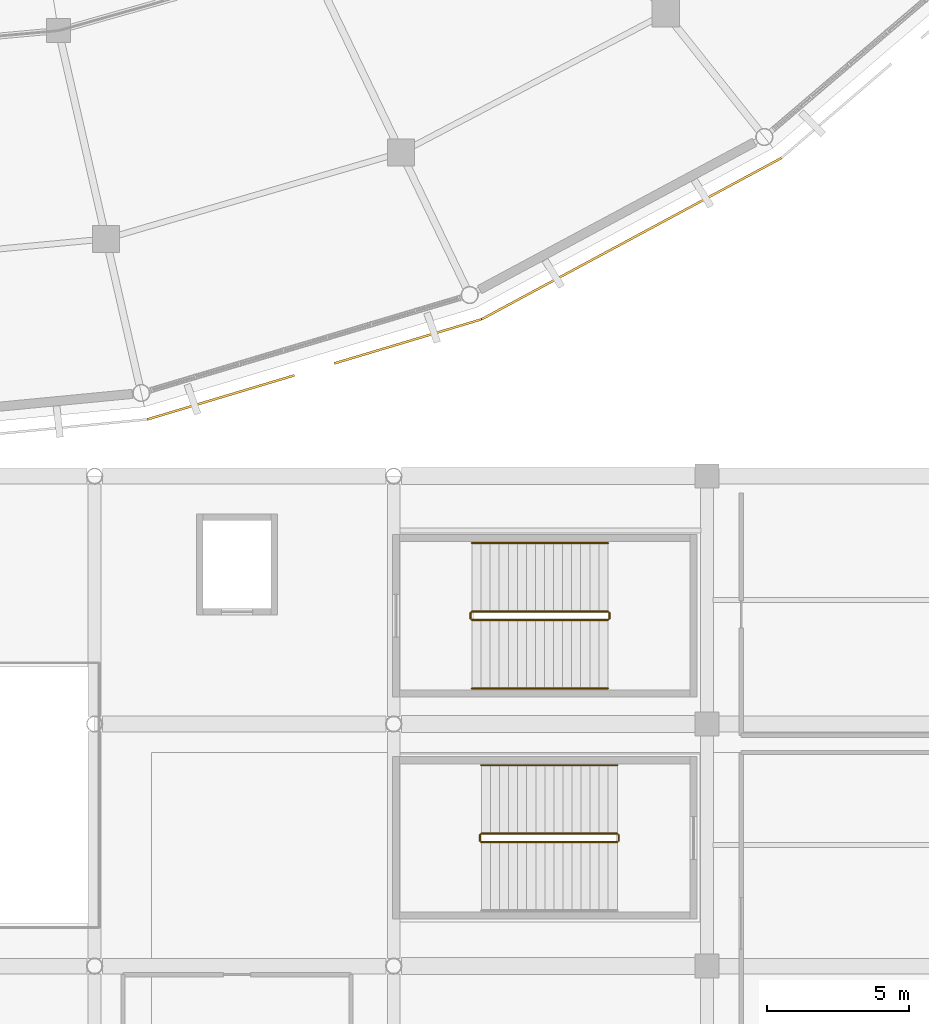
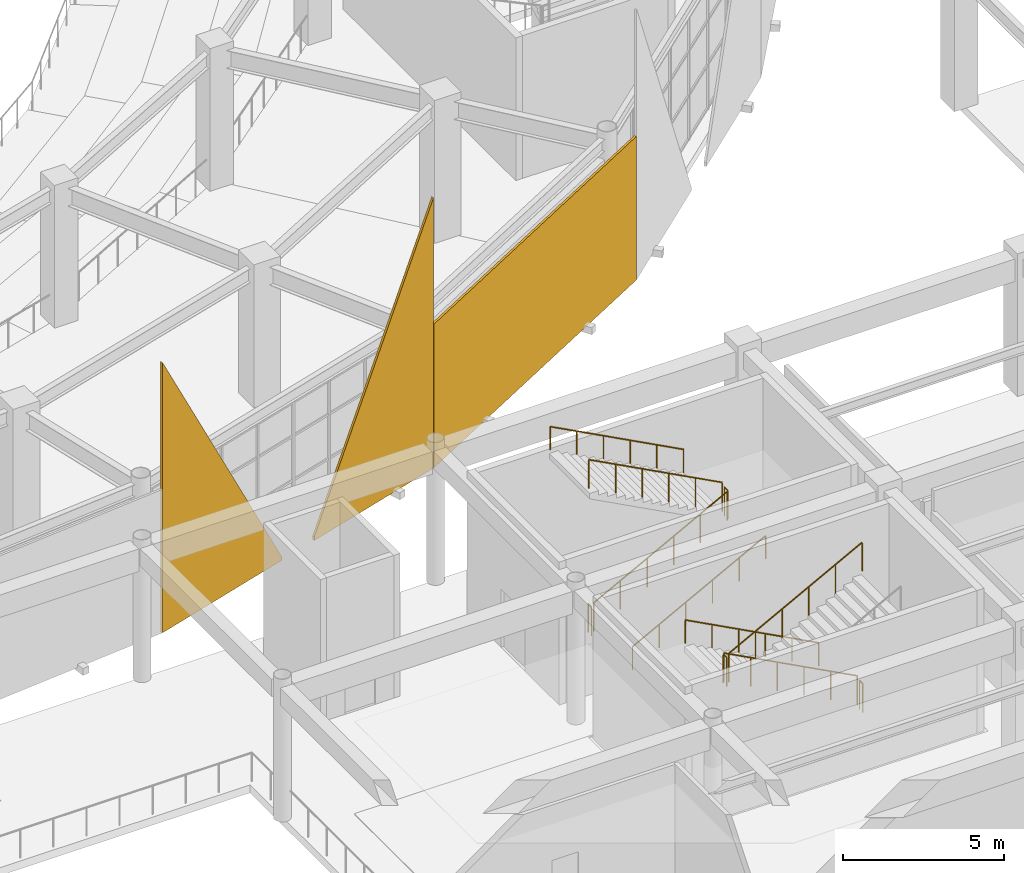
# One storey, part 97 of 120: 11 railings, 3 coverings.
"""IFC4 building model written with IfcOpenShell, lengths in metres."""

from ifc_helpers import new_model, si_unit, direction, frame, frame_2d, origin, origin_2d, place, context, subcontext, project, spatial, polyline, rectangle, circle, outline, extrude, material, layer, layer_set, type_object, element, save


model = new_model("IFC4")

# Units and contexts
model_context = context("Model", 3, precision=1e-05, world=origin(), true_north=direction((0.0, 1.0)))
body_context = subcontext(model_context, "Body", "Model", "MODEL_VIEW")
ifc_project = project(units=[si_unit("LENGTHUNIT", "METRE"), si_unit("AREAUNIT", "SQUARE_METRE"), si_unit("VOLUMEUNIT", "CUBIC_METRE"), si_unit("PLANEANGLEUNIT", "RADIAN"), si_unit("MASSUNIT", "GRAM", prefix="KILO")], contexts=[model_context])

# Site, building, storey
site_placement = place(None, origin())
site = spatial("IfcSite", under=ifc_project, at=site_placement, CompositionType="ELEMENT")
building_placement = place(site_placement, origin())
building = spatial("IfcBuilding", under=site, at=building_placement, Name="Cuetzalor Civic Arena", CompositionType="ELEMENT")
storey_placement = place(building_placement, frame((0.0, 0.0, 6.0)))
storey = spatial("IfcBuildingStorey", under=building, at=storey_placement, Name="L01", CompositionType="ELEMENT", Elevation=6.0)

# Railings
ifc_material_1 = material(Name="Reseda-green architectural Steel S355 balustrade", Category="steel")
railing_type_1 = type_object("IfcRailingType", Name="InteriorVoidBalustrade_1100", PredefinedType="BALUSTRADE", material=ifc_material_1)
railing_1_placement = place(storey_placement, frame((23.75, -53.35009765625, 0.168701171875)))
element("IfcRailing", 1, at=railing_1_placement, inside=storey, type_object=railing_type_1, Name="L01 ST-11 stair guard 1", PredefinedType="BALUSTRADE", context=body_context, shape_type="SweptSolid", body=[
    extrude(circle(Radius=0.02392578125, at=origin_2d()), frame((0.0, 0.0, 1.0810546875), z_axis=(0.883332211103, 0.0, 0.468747485143), x_axis=(0.0, 1.0, 0.0)), (0.0, 0.0, 1.0), 5.400146484375),
    extrude(circle(Radius=0.02099609375, at=origin_2d()), origin(), (0.0, 0.0, 1.0), 1.056884765625),
    extrude(circle(Radius=0.02099609375, at=origin_2d()), frame((0.9541015625, 0.0, 0.50634765625)), (0.0, 0.0, 1.0), 1.056884765625),
    extrude(circle(Radius=0.02099609375, at=origin_2d()), frame((1.907958984375, 0.0, 1.012451171875)), (0.0, 0.0, 1.0), 1.056884765625),
    extrude(circle(Radius=0.02099609375, at=origin_2d()), frame((2.862060546875, 0.0, 1.518798828125)), (0.0, 0.0, 1.0), 1.056884765625),
    extrude(circle(Radius=0.02099609375, at=origin_2d()), frame((3.81591796875, 0.0, 2.02490234375)), (0.0, 0.0, 1.0), 1.056884765625),
    extrude(circle(Radius=0.02099609375, at=origin_2d()), frame((4.77001953125, 0.0, 2.53125)), (0.0, 0.0, 1.0), 1.056884765625),
])
railing_2_placement = place(storey_placement, frame((28.570068359375, -53.300048828125, 2.699951171875)))
element("IfcRailing", 2, at=railing_2_placement, inside=storey, type_object=railing_type_1, Name="L01 ST-11 stair guard 2", PredefinedType="BALUSTRADE", context=body_context, shape_type="SweptSolid", body=[
    extrude(circle(Radius=0.02392578125, at=origin_2d()), frame((0.0, 0.0, 1.0810546875), z_axis=(0.0, 1.0, 0.0), x_axis=(-1.0, 0.0, 0.0)), (0.0, 0.0, 1.0), 0.199951171875),
    extrude(circle(Radius=0.02099609375, at=origin_2d()), origin(), (0.0, 0.0, 1.0), 1.056884765625),
    extrude(circle(Radius=0.02099609375, at=origin_2d()), frame((0.0, 0.199951171875, 0.0)), (0.0, 0.0, 1.0), 1.056884765625),
])
railing_3_placement = place(storey_placement, frame((28.52001953125, -53.050048828125, 2.86865234375)))
element("IfcRailing", 3, at=railing_3_placement, inside=storey, type_object=railing_type_1, Name="L01 ST-11 stair guard 3", PredefinedType="BALUSTRADE", context=body_context, shape_type="SweptSolid", body=[
    extrude(circle(Radius=0.02392578125, at=origin_2d()), frame((0.0, 0.0, 1.0810546875), z_axis=(-0.883332211103, 0.0, 0.468747485143), x_axis=(0.0, -1.0, 0.0)), (0.0, 0.0, 1.0), 5.400146484375),
    extrude(circle(Radius=0.02099609375, at=origin_2d()), origin(), (0.0, 0.0, 1.0), 1.056884765625),
    extrude(circle(Radius=0.02099609375, at=origin_2d()), frame((-0.9541015625, 0.0, 0.50634765625)), (0.0, 0.0, 1.0), 1.056884765625),
    extrude(circle(Radius=0.02099609375, at=origin_2d()), frame((-1.907958984375, 0.0, 1.012451171875)), (0.0, 0.0, 1.0), 1.056884765625),
    extrude(circle(Radius=0.02099609375, at=origin_2d()), frame((-2.862060546875, 0.0, 1.518798828125)), (0.0, 0.0, 1.0), 1.056884765625),
    extrude(circle(Radius=0.02099609375, at=origin_2d()), frame((-3.81591796875, 0.0, 2.02490234375)), (0.0, 0.0, 1.0), 1.056884765625),
    extrude(circle(Radius=0.02099609375, at=origin_2d()), frame((-4.77001953125, 0.0, 2.53125)), (0.0, 0.0, 1.0), 1.056884765625),
])
railing_4_placement = place(storey_placement, frame((23.699951171875, -53.300048828125, 0.0)))
element("IfcRailing", 4, at=railing_4_placement, inside=storey, type_object=railing_type_1, Name="L01 ST-11 stair guard 4", PredefinedType="BALUSTRADE", context=body_context, shape_type="SweptSolid", body=[
    extrude(circle(Radius=0.02392578125, at=origin_2d()), frame((0.0, 0.0, 1.0810546875), z_axis=(0.0, 1.0, 0.0), x_axis=(-1.0, 0.0, 0.0)), (0.0, 0.0, 1.0), 0.199951171875),
    extrude(circle(Radius=0.02099609375, at=origin_2d()), origin(), (0.0, 0.0, 1.0), 1.056884765625),
    extrude(circle(Radius=0.02099609375, at=origin_2d()), frame((0.0, 0.199951171875, 0.0)), (0.0, 0.0, 1.0), 1.056884765625),
])
railing_5_placement = place(storey_placement, frame((28.85009765625, -60.85009765625, 0.168701171875)))
element("IfcRailing", 5, at=railing_5_placement, inside=storey, type_object=railing_type_1, Name="L01 ST-12 stair guard 1", PredefinedType="BALUSTRADE", context=body_context, shape_type="SweptSolid", body=[
    extrude(circle(Radius=0.02392578125, at=origin_2d()), frame((0.0, 0.0, 1.0810546875), z_axis=(-0.883332211103, 0.0, 0.468747485143), x_axis=(0.0, -1.0, 0.0)), (0.0, 0.0, 1.0), 5.400146484375),
    extrude(circle(Radius=0.02099609375, at=origin_2d()), origin(), (0.0, 0.0, 1.0), 1.056884765625),
    extrude(circle(Radius=0.02099609375, at=origin_2d()), frame((-0.9541015625, 0.0, 0.50634765625)), (0.0, 0.0, 1.0), 1.056884765625),
    extrude(circle(Radius=0.02099609375, at=origin_2d()), frame((-1.907958984375, 0.0, 1.012451171875)), (0.0, 0.0, 1.0), 1.056884765625),
    extrude(circle(Radius=0.02099609375, at=origin_2d()), frame((-2.862060546875, 0.0, 1.518798828125)), (0.0, 0.0, 1.0), 1.056884765625),
    extrude(circle(Radius=0.02099609375, at=origin_2d()), frame((-3.81591796875, 0.0, 2.02490234375)), (0.0, 0.0, 1.0), 1.056884765625),
    extrude(circle(Radius=0.02099609375, at=origin_2d()), frame((-4.77001953125, 0.0, 2.53125)), (0.0, 0.0, 1.0), 1.056884765625),
])
railing_6_placement = place(storey_placement, frame((24.030029296875, -60.89990234375, 2.699951171875)))
element("IfcRailing", 6, at=railing_6_placement, inside=storey, type_object=railing_type_1, Name="L01 ST-12 stair guard 2", PredefinedType="BALUSTRADE", context=body_context, shape_type="SweptSolid", body=[
    extrude(circle(Radius=0.02392578125, at=origin_2d()), frame((0.0, 0.0, 1.0810546875), z_axis=(0.0, -1.0, 0.0), x_axis=(1.0, 0.0, 0.0)), (0.0, 0.0, 1.0), 0.2001953125),
    extrude(circle(Radius=0.02099609375, at=origin_2d()), origin(), (0.0, 0.0, 1.0), 1.056884765625),
    extrude(circle(Radius=0.02099609375, at=origin_2d()), frame((0.0, -0.2001953125, 0.0)), (0.0, 0.0, 1.0), 1.056884765625),
])
railing_7_placement = place(storey_placement, frame((24.080078125, -61.14990234375, 2.86865234375)))
element("IfcRailing", 7, at=railing_7_placement, inside=storey, type_object=railing_type_1, Name="L01 ST-12 stair guard 3", PredefinedType="BALUSTRADE", context=body_context, shape_type="SweptSolid", body=[
    extrude(circle(Radius=0.02392578125, at=origin_2d()), frame((0.0, 0.0, 1.0810546875), z_axis=(0.883332211103, 0.0, 0.468747485143), x_axis=(0.0, 1.0, 0.0)), (0.0, 0.0, 1.0), 5.400146484375),
    extrude(circle(Radius=0.02099609375, at=origin_2d()), origin(), (0.0, 0.0, 1.0), 1.056884765625),
    extrude(circle(Radius=0.02099609375, at=origin_2d()), frame((0.9541015625, 0.0, 0.50634765625)), (0.0, 0.0, 1.0), 1.056884765625),
    extrude(circle(Radius=0.02099609375, at=origin_2d()), frame((1.907958984375, 0.0, 1.012451171875)), (0.0, 0.0, 1.0), 1.056884765625),
    extrude(circle(Radius=0.02099609375, at=origin_2d()), frame((2.862060546875, 0.0, 1.518798828125)), (0.0, 0.0, 1.0), 1.056884765625),
    extrude(circle(Radius=0.02099609375, at=origin_2d()), frame((3.81591796875, 0.0, 2.02490234375)), (0.0, 0.0, 1.0), 1.056884765625),
    extrude(circle(Radius=0.02099609375, at=origin_2d()), frame((4.77001953125, 0.0, 2.53125)), (0.0, 0.0, 1.0), 1.056884765625),
])
railing_8_placement = place(storey_placement, frame((28.89990234375, -60.89990234375, 0.0)))
element("IfcRailing", 8, at=railing_8_placement, inside=storey, type_object=railing_type_1, Name="L01 ST-12 stair guard 4", PredefinedType="BALUSTRADE", context=body_context, shape_type="SweptSolid", body=[
    extrude(circle(Radius=0.02392578125, at=origin_2d()), frame((0.0, 0.0, 1.0810546875), z_axis=(0.0, -1.0, 0.0), x_axis=(1.0, 0.0, 0.0)), (0.0, 0.0, 1.0), 0.2001953125),
    extrude(circle(Radius=0.02099609375, at=origin_2d()), origin(), (0.0, 0.0, 1.0), 1.056884765625),
    extrude(circle(Radius=0.02099609375, at=origin_2d()), frame((0.0, -0.2001953125, 0.0)), (0.0, 0.0, 1.0), 1.056884765625),
])
ifc_material_2 = material(Name="Galvanised steel S355", Category="steel")
railing_type_2 = type_object("IfcRailingType", Name="StairPitchHandrail_900", PredefinedType="HANDRAIL", material=ifc_material_2)
railing_9_placement = place(storey_placement, frame((23.75, -55.75, 0.168701171875)))
element("IfcRailing", 9, at=railing_9_placement, inside=storey, type_object=railing_type_2, Name="L01 ST-11 stair handrail 1", PredefinedType="HANDRAIL", context=body_context, shape_type="SweptSolid", body=[
    extrude(circle(Radius=0.02392578125, at=origin_2d()), frame((0.0, 0.0, 0.8759765625), z_axis=(0.883332211103, 0.0, 0.468747485143), x_axis=(0.0, 1.0, 0.0)), (0.0, 0.0, 1.0), 5.400146484375),
    extrude(circle(Radius=0.02099609375, at=origin_2d()), origin(), (0.0, 0.0, 1.0), 0.851806640625),
    extrude(circle(Radius=0.02099609375, at=origin_2d()), frame((0.9541015625, 0.0, 0.50634765625)), (0.0, 0.0, 1.0), 0.851806640625),
    extrude(circle(Radius=0.02099609375, at=origin_2d()), frame((1.907958984375, 0.0, 1.012451171875)), (0.0, 0.0, 1.0), 0.851806640625),
    extrude(circle(Radius=0.02099609375, at=origin_2d()), frame((2.862060546875, 0.0, 1.518798828125)), (0.0, 0.0, 1.0), 0.851806640625),
    extrude(circle(Radius=0.02099609375, at=origin_2d()), frame((3.81591796875, 0.0, 2.02490234375)), (0.0, 0.0, 1.0), 0.851806640625),
    extrude(circle(Radius=0.02099609375, at=origin_2d()), frame((4.77001953125, 0.0, 2.53125)), (0.0, 0.0, 1.0), 0.851806640625),
])
for number, where, name in (
    (10, (28.52001953125, -50.64990234375, 2.86865234375), "L01 ST-11 stair handrail 2"),
    (11, (28.85009765625, -58.449951171875, 0.168701171875), "L01 ST-12 stair handrail 1"),
):
    element("IfcRailing", number, at=place(storey_placement, frame(where)), inside=storey, type_object=railing_type_2, Name=name, PredefinedType="HANDRAIL", context=body_context, shape_type="SweptSolid", body=[
        extrude(circle(Radius=0.02392578125, at=origin_2d()), frame((0.0, 0.0, 0.8759765625), z_axis=(-0.883332211103, 0.0, 0.468747485143), x_axis=(0.0, -1.0, 0.0)), (0.0, 0.0, 1.0), 5.400146484375),
        extrude(circle(Radius=0.02099609375, at=origin_2d()), origin(), (0.0, 0.0, 1.0), 0.851806640625),
        extrude(circle(Radius=0.02099609375, at=origin_2d()), frame((-0.9541015625, 0.0, 0.50634765625)), (0.0, 0.0, 1.0), 0.851806640625),
        extrude(circle(Radius=0.02099609375, at=origin_2d()), frame((-1.907958984375, 0.0, 1.012451171875)), (0.0, 0.0, 1.0), 0.851806640625),
        extrude(circle(Radius=0.02099609375, at=origin_2d()), frame((-2.862060546875, 0.0, 1.518798828125)), (0.0, 0.0, 1.0), 0.851806640625),
        extrude(circle(Radius=0.02099609375, at=origin_2d()), frame((-3.81591796875, 0.0, 2.02490234375)), (0.0, 0.0, 1.0), 0.851806640625),
        extrude(circle(Radius=0.02099609375, at=origin_2d()), frame((-4.77001953125, 0.0, 2.53125)), (0.0, 0.0, 1.0), 0.851806640625),
    ])

# Coverings
ifc_material_3 = material(Name="Terracotta-red perforated anodised aluminium panel", Category="masonry")
ifc_layer = layer(ifc_material_3, 0.080078125)
ifc_layer_set = layer_set([ifc_layer], Name="Terracotta-red perforated anodised aluminium panel")
covering_type = type_object("IfcCoveringType", Name="TerracottaPerforatedScreenPanel", PredefinedType="CLADDING", material=ifc_layer_set)
covering_1_placement = place(storey_placement, frame((24.08056640625, -42.7958984375, -0.14990234375), z_axis=(0.0, 0.0, 1.0), x_axis=(-0.957958374655, -0.286907219199, 0.0)))
element("IfcCovering", 12, at=covering_1_placement, inside=storey, type_object=covering_type, Name="Terracotta Perforated Triangle Cheek Left S23", PredefinedType="CLADDING", context=body_context, shape_type="SweptSolid", body=[
    extrude(outline(polyline([(0.0, 0.0), (5.38818359375, 0.0), (5.387939453125, 0.139892578125), (0.0, 10.22998046875), (0.0, 0.0)])), frame((0.0, 0.0400390625, 0.0), z_axis=(0.0, -1.0, 0.0), x_axis=(1.0, 0.0, 0.0)), (0.0, 0.0, 1.0), 0.080078125),
])
covering_2_placement = place(storey_placement, frame((17.511474609375, -44.76318359375, -0.14990234375), z_axis=(0.0, 0.0, 1.0), x_axis=(-0.957958374655, -0.286907219199, 0.0)))
element("IfcCovering", 13, at=covering_2_placement, inside=storey, type_object=covering_type, Name="Terracotta Perforated Triangle Cheek Right S23", PredefinedType="CLADDING", context=body_context, shape_type="SweptSolid", body=[
    extrude(outline(polyline([(0.0, 0.0), (5.38818359375, 0.0), (5.387939453125, 10.22998046875), (0.0, 0.139892578125), (0.0, 0.0)])), frame((0.0, 0.0400390625, 0.0), z_axis=(0.0, -1.0, 0.0), x_axis=(1.0, 0.0, 0.0)), (0.0, 0.0, 1.0), 0.080078125),
])
covering_3_placement = place(storey_placement, frame((34.603759765625, -37.136962890625, -0.14990234375), z_axis=(0.0, 0.0, 1.0), x_axis=(-0.880729476331, -0.473619667584, 0.0)))
element("IfcCovering", 14, at=covering_3_placement, inside=storey, type_object=covering_type, Name="Terracotta Perforated Drum Screen L01-S24", PredefinedType="CLADDING", context=body_context, shape_type="SweptSolid", body=[
    extrude(rectangle(XDim=11.9482421875, YDim=0.080078125, at=frame_2d((5.97412109375, 0.0))), origin(), (0.0, 0.0, 1.0), 5.429931640625),
])

save(model, "model.ifc")
